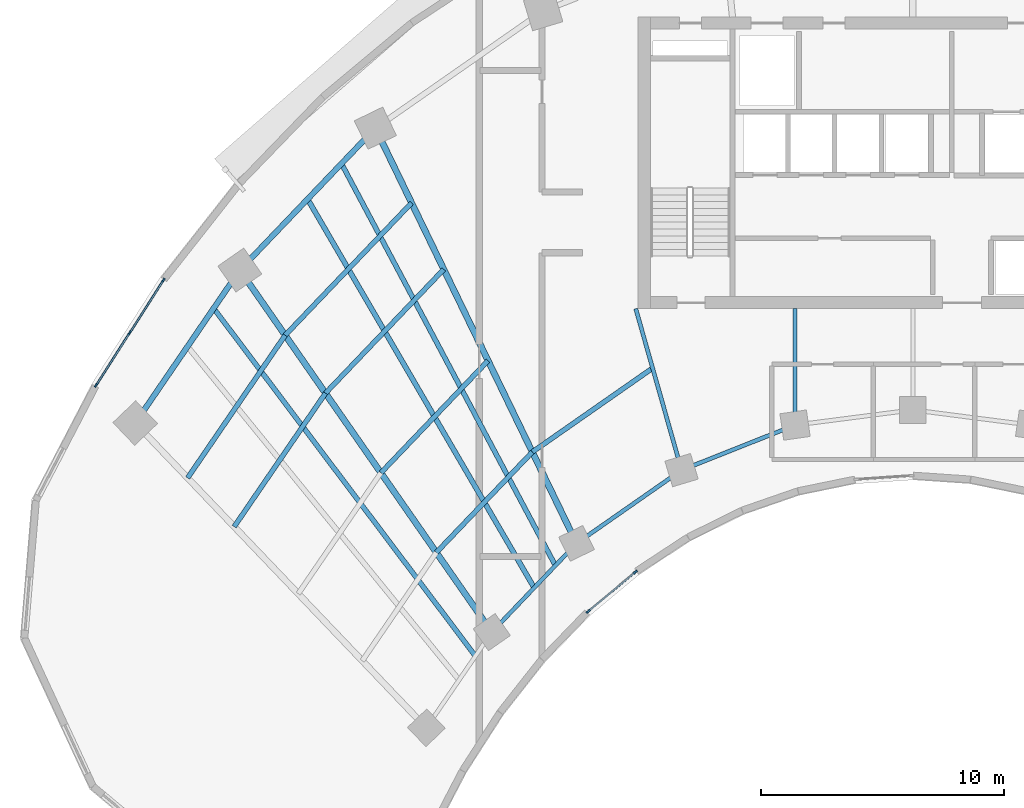
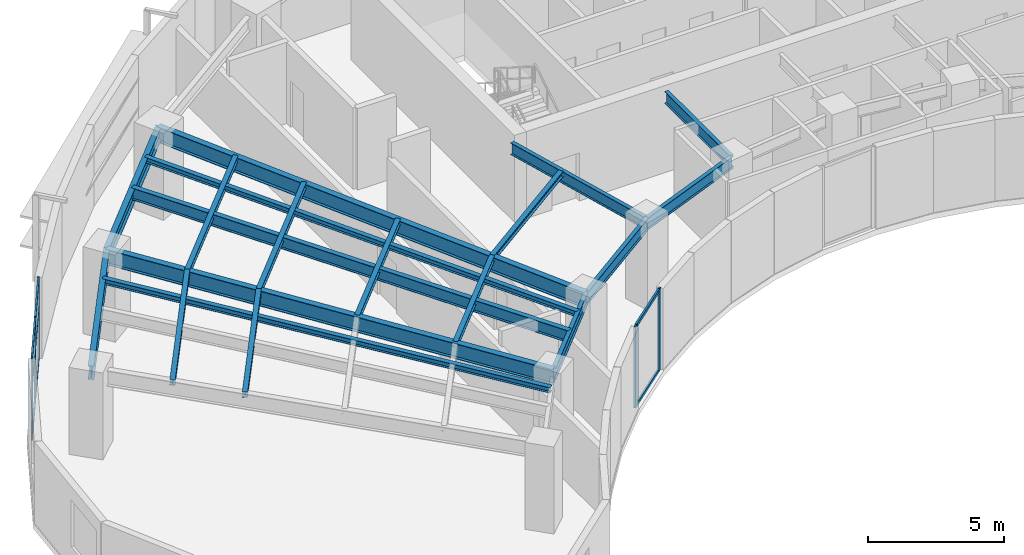
# One storey, part 2 of 13: 19 beams, 13 members, 2 elements without a shape of their own.
"""IFC4 building model written with IfcOpenShell, lengths in metres."""

from ifc_helpers import new_model, si_unit, direction, frame, origin, origin_2d, place, context, subcontext, project, spatial, rectangle, i_section, extrude, source, transform, mapped, material, layer, layer_set, material_profile, profile_set, type_object, type_shapes, element, aggregate, save


model = new_model("IFC4")

# Units and contexts
model_context = context("Model", 3, precision=1e-05, world=origin(), true_north=direction((0.0, 1.0)))
body_context = subcontext(model_context, "Body", "Model", "MODEL_VIEW")
ifc_project = project(units=[si_unit("LENGTHUNIT", "METRE"), si_unit("AREAUNIT", "SQUARE_METRE"), si_unit("VOLUMEUNIT", "CUBIC_METRE"), si_unit("PLANEANGLEUNIT", "RADIAN"), si_unit("MASSUNIT", "GRAM", prefix="KILO")], contexts=[model_context])

# Site, building, storey
site_placement = place(None, origin())
site = spatial("IfcSite", under=ifc_project, at=site_placement, CompositionType="ELEMENT")
building_placement = place(site_placement, origin())
building = spatial("IfcBuilding", under=site, at=building_placement, Name="Breltana Convention Tower", CompositionType="ELEMENT")
storey_placement = place(building_placement, frame((0.0, 0.0, 127.199951171875)))
storey = spatial("IfcBuildingStorey", under=building, at=storey_placement, Name="L30", CompositionType="ELEMENT", Elevation=127.199951171875)

# Beams
ifc_material_1 = material(Name="Steel ASTM A992 Grade 50", Category="steel")
ifc_material_profile_1 = material_profile(ifc_material_1, i_section(OverallWidth=0.25390625, OverallDepth=0.68798828125, WebThickness=0.01318359375, FlangeThickness=0.02099609375, at=origin_2d()), Name="W27X102")
ifc_profile_set_1 = profile_set([ifc_material_profile_1], Name="Steel ASTM A992 Grade 50")
beam_type_1 = type_object("IfcBeamType", Name="BM-RG-W27X102", PredefinedType="USERDEFINED", material=ifc_profile_set_1)
shared_shape_1 = source(origin(), body_context, "Body", "SweptSolid", [
    extrude(i_section(OverallWidth=0.25390625, OverallDepth=0.68798828125, WebThickness=0.01318359375, FlangeThickness=0.02099609375, at=origin_2d()), origin(), (0.0, 0.0, 1.0), 18.1484375),
])
beam_1_placement = place(storey_placement, frame((30.67724609375, 46.892333984375, 3.30615234375), z_axis=(-0.571207556098, 0.820805657788, 0.0), x_axis=(-0.820805657788, -0.571207556098, 0.0)))
element("IfcBeam", 1, at=beam_1_placement, inside=storey, type_object=beam_type_1, Name="L30 Radial Floor Girder R02", ObjectType="GIRDER", PredefinedType="USERDEFINED", context=body_context, shape_type="MappedRepresentation", body=[
    mapped(shared_shape_1, transform((0.0, 0.0, 0.0), scale=1.0)),
])
shared_shape_2 = source(origin(), body_context, "Body", "SweptSolid", [
    extrude(i_section(OverallWidth=0.25390625, OverallDepth=0.68798828125, WebThickness=0.01318359375, FlangeThickness=0.02099609375, at=origin_2d()), origin(), (0.0, 0.0, 1.0), 18.982421875),
])
beam_2_placement = place(storey_placement, frame((34.166259765625, 50.544921875, 3.30615234375), z_axis=(-0.436118560343, 0.89988921614, 0.0), x_axis=(-0.89988921614, -0.436118560343, 0.0)))
element("IfcBeam", 2, at=beam_2_placement, inside=storey, type_object=beam_type_1, Name="L30 Radial Floor Girder R03", ObjectType="GIRDER", PredefinedType="USERDEFINED", context=body_context, shape_type="MappedRepresentation", body=[
    mapped(shared_shape_2, transform((0.0, 0.0, 0.0), scale=1.0)),
])
ifc_material_profile_2 = material_profile(ifc_material_1, i_section(OverallWidth=0.166015625, OverallDepth=0.534912109375, WebThickness=0.01025390625, FlangeThickness=0.0166015625, at=origin_2d()), Name="W21X57")
ifc_profile_set_2 = profile_set([ifc_material_profile_2], Name="Steel ASTM A992 Grade 50")
beam_type_2 = type_object("IfcBeamType", Name="BM-BM-W21X57", PredefinedType="BEAM", material=ifc_profile_set_2)
shared_shape_3 = source(origin(), body_context, "Body", "SweptSolid", [
    extrude(i_section(OverallWidth=0.166015625, OverallDepth=0.534912109375, WebThickness=0.01025390625, FlangeThickness=0.0166015625, at=origin_2d()), origin(), (0.0, 0.0, 1.0), 6.904541015625),
])
type_shapes(beam_type_2, [shared_shape_3])
beam_3_placement = place(storey_placement, frame((36.60009765625, 60.199951171875, 3.382568359375), z_axis=(0.273006781054, -0.962012108811, 0.0), x_axis=(0.962012108811, 0.273006781054, 0.0)))
element("IfcBeam", 3, at=beam_3_placement, inside=storey, type_object=beam_type_2, Name="L30 South Core Tie Girder R04", PredefinedType="BEAM", context=body_context, shape_type="MappedRepresentation", body=[
    mapped(shared_shape_3, transform((0.0, 0.0, 0.0), scale=1.0)),
])
shared_shape_4 = source(origin(), body_context, "Body", "SweptSolid", [
    extrude(i_section(OverallWidth=0.166015625, OverallDepth=0.534912109375, WebThickness=0.01025390625, FlangeThickness=0.0166015625, at=origin_2d()), origin(), (0.0, 0.0, 1.0), 4.789306640625),
])
beam_4_placement = place(storey_placement, frame((43.153564453125, 60.199951171875, 3.382568359375), z_axis=(0.0, -1.0, 0.0), x_axis=(1.0, 0.0, 0.0)))
element("IfcBeam", 4, at=beam_4_placement, inside=storey, type_object=beam_type_2, Name="L30 South Core Tie Girder R05", PredefinedType="BEAM", context=body_context, shape_type="MappedRepresentation", body=[
    mapped(shared_shape_4, transform((0.0, 0.0, 0.0), scale=1.0)),
])
ifc_material_profile_3 = material_profile(ifc_material_1, i_section(OverallWidth=0.22802734375, OverallDepth=0.60791015625, WebThickness=0.01123046875, FlangeThickness=0.017333984375, at=origin_2d()), Name="W24X76")
ifc_profile_set_3 = profile_set([ifc_material_profile_3], Name="Steel ASTM A992 Grade 50")
beam_type_3 = type_object("IfcBeamType", Name="BM-SP-W24X76", PredefinedType="SPANDREL", material=ifc_profile_set_3)
shared_shape_5 = source(origin(), body_context, "Body", "SweptSolid", [
    extrude(i_section(OverallWidth=0.22802734375, OverallDepth=0.60791015625, WebThickness=0.01123046875, FlangeThickness=0.017333984375, at=origin_2d()), origin(), (0.0, 0.0, 1.0), 7.625),
])
type_shapes(beam_type_3, [shared_shape_5])
beam_5_placement = place(storey_placement, frame((16.0068359375, 55.494384765625, 3.345947265625), z_axis=(0.564452031902, 0.825465870694, 0.0), x_axis=(-0.825465870694, 0.564452031902, 0.0)))
element("IfcBeam", 5, at=beam_5_placement, inside=storey, type_object=beam_type_3, Name="L30 Outer Spandrel Beam 01", PredefinedType="SPANDREL", context=body_context, shape_type="MappedRepresentation", body=[
    mapped(shared_shape_5, transform((0.0, 0.0, 0.0), scale=1.0)),
])
shared_shape_6 = source(origin(), body_context, "Body", "SweptSolid", [
    extrude(i_section(OverallWidth=0.166015625, OverallDepth=0.534912109375, WebThickness=0.01025390625, FlangeThickness=0.0166015625, at=origin_2d()), origin(), (0.0, 0.0, 1.0), 5.05126953125),
])
beam_6_placement = place(storey_placement, frame((30.67724609375, 46.892333984375, 3.382568359375), z_axis=(0.690729753845, 0.7231129975, 0.0), x_axis=(-0.7231129975, 0.690729753845, 0.0)))
element("IfcBeam", 6, at=beam_6_placement, inside=storey, type_object=beam_type_2, Name="L30 Inner Ring Beam 02", PredefinedType="BEAM", context=body_context, shape_type="MappedRepresentation", body=[
    mapped(shared_shape_6, transform((0.0, 0.0, 0.0), scale=1.0)),
])
shared_shape_7 = source(origin(), body_context, "Body", "SweptSolid", [
    extrude(i_section(OverallWidth=0.22802734375, OverallDepth=0.60791015625, WebThickness=0.01123046875, FlangeThickness=0.017333984375, at=origin_2d()), origin(), (0.0, 0.0, 1.0), 8.073974609375),
])
beam_7_placement = place(storey_placement, frame((20.310791015625, 61.78857421875, 3.345947265625), z_axis=(0.69072885448, 0.723113856588, 0.0), x_axis=(-0.723113856588, 0.69072885448, 0.0)))
element("IfcBeam", 7, at=beam_7_placement, inside=storey, type_object=beam_type_3, Name="L30 Outer Spandrel Beam 02", PredefinedType="SPANDREL", context=body_context, shape_type="MappedRepresentation", body=[
    mapped(shared_shape_7, transform((0.0, 0.0, 0.0), scale=1.0)),
])
shared_shape_8 = source(origin(), body_context, "Body", "SweptSolid", [
    extrude(i_section(OverallWidth=0.166015625, OverallDepth=0.534912109375, WebThickness=0.01025390625, FlangeThickness=0.0166015625, at=origin_2d()), origin(), (0.0, 0.0, 1.0), 5.265869140625),
])
beam_8_placement = place(storey_placement, frame((34.166259765625, 50.544921875, 3.382568359375), z_axis=(0.820167429517, 0.572123577176, 0.0), x_axis=(-0.572123577176, 0.820167429517, 0.0)))
element("IfcBeam", 8, at=beam_8_placement, inside=storey, type_object=beam_type_2, Name="L30 Inner Ring Beam 03", PredefinedType="BEAM", context=body_context, shape_type="MappedRepresentation", body=[
    mapped(shared_shape_8, transform((0.0, 0.0, 0.0), scale=1.0)),
])
shared_shape_9 = source(origin(), body_context, "Body", "SweptSolid", [
    extrude(i_section(OverallWidth=0.166015625, OverallDepth=0.534912109375, WebThickness=0.01025390625, FlangeThickness=0.0166015625, at=origin_2d()), origin(), (0.0, 0.0, 1.0), 5.022705078125),
])
beam_9_placement = place(storey_placement, frame((38.485107421875, 53.5576171875, 3.382568359375), z_axis=(0.929458966248, 0.368925507469, 0.0), x_axis=(-0.368925507469, 0.929458966248, 0.0)))
element("IfcBeam", 9, at=beam_9_placement, inside=storey, type_object=beam_type_2, Name="L30 Inner Ring Beam 04", PredefinedType="BEAM", context=body_context, shape_type="MappedRepresentation", body=[
    mapped(shared_shape_9, transform((0.0, 0.0, 0.0), scale=1.0)),
])
ifc_material_profile_4 = material_profile(ifc_material_1, i_section(OverallWidth=0.201904296875, OverallDepth=0.2470703125, WebThickness=0.00732421875, FlangeThickness=0.010986328125, at=origin_2d()), Name="W10X33")
ifc_profile_set_4 = profile_set([ifc_material_profile_4], Name="Steel ASTM A992 Grade 50")
beam_type_4 = type_object("IfcBeamType", Name="BM-JSG-11", PredefinedType="JOIST", material=ifc_profile_set_4)
shared_shape_10 = source(origin(), body_context, "Body", "SweptSolid", [
    extrude(i_section(OverallWidth=0.201904296875, OverallDepth=0.2470703125, WebThickness=0.00732421875, FlangeThickness=0.010986328125, at=origin_2d()), origin(), (0.0, 0.0, 1.0), 6.654541015625),
])
beam_10_placement = place(storey_placement, frame((20.0791015625, 51.23095703125, 3.526611328125), z_axis=(0.564482668195, 0.82544492082, 0.0), x_axis=(-0.82544492082, 0.564482668195, 0.0)))
element("IfcBeam", 10, at=beam_10_placement, inside=storey, type_object=beam_type_4, Name="L30 Composite Floor Joist 01.3", PredefinedType="JOIST", context=body_context, shape_type="MappedRepresentation", body=[
    mapped(shared_shape_10, transform((0.0, 0.0, 0.0), scale=1.0)),
])
shared_shape_11 = source(origin(), body_context, "Body", "SweptSolid", [
    extrude(i_section(OverallWidth=0.201904296875, OverallDepth=0.2470703125, WebThickness=0.00732421875, FlangeThickness=0.010986328125, at=origin_2d()), origin(), (0.0, 0.0, 1.0), 7.111328125),
])
beam_11_placement = place(storey_placement, frame((18.162841796875, 53.2373046875, 3.526611328125), z_axis=(0.564446356178, 0.825469751715, 0.0), x_axis=(-0.825469751715, 0.564446356178, 0.0)))
element("IfcBeam", 11, at=beam_11_placement, inside=storey, type_object=beam_type_4, Name="L30 Composite Floor Joist 01.4", PredefinedType="JOIST", context=body_context, shape_type="MappedRepresentation", body=[
    mapped(shared_shape_11, transform((0.0, 0.0, 0.0), scale=1.0)),
])
shared_shape_12 = source(origin(), body_context, "Body", "SweptSolid", [
    extrude(i_section(OverallWidth=0.201904296875, OverallDepth=0.2470703125, WebThickness=0.00732421875, FlangeThickness=0.010986328125, at=origin_2d()), origin(), (0.0, 0.0, 1.0), 17.9072265625),
])
beam_12_placement = place(storey_placement, frame((30.00390625, 45.907958984375, 3.526611328125), z_axis=(-0.601382105028, 0.798961553363, 0.0), x_axis=(-0.798961553363, -0.601382105028, 0.0)))
element("IfcBeam", 12, at=beam_12_placement, inside=storey, type_object=beam_type_4, Name="L30 Quarter-Bay Radial Trimmer 01", PredefinedType="JOIST", context=body_context, shape_type="MappedRepresentation", body=[
    mapped(shared_shape_12, transform((0.0, 0.0, 0.0), scale=1.0)),
])
shared_shape_13 = source(origin(), body_context, "Body", "SweptSolid", [
    extrude(i_section(OverallWidth=0.201904296875, OverallDepth=0.2470703125, WebThickness=0.00732421875, FlangeThickness=0.010986328125, at=origin_2d()), origin(), (0.0, 0.0, 1.0), 5.716064453125),
])
beam_13_placement = place(storey_placement, frame((28.396484375, 50.169677734375, 3.526611328125), z_axis=(0.690756060045, 0.723087868458, 0.0), x_axis=(-0.723087868458, 0.690756060045, 0.0)))
element("IfcBeam", 13, at=beam_13_placement, inside=storey, type_object=beam_type_4, Name="L30 Composite Floor Joist 02.1", PredefinedType="JOIST", context=body_context, shape_type="MappedRepresentation", body=[
    mapped(shared_shape_13, transform((0.0, 0.0, 0.0), scale=1.0)),
])
shared_shape_14 = source(origin(), body_context, "Body", "SweptSolid", [
    extrude(i_section(OverallWidth=0.201904296875, OverallDepth=0.2470703125, WebThickness=0.00732421875, FlangeThickness=0.010986328125, at=origin_2d()), origin(), (0.0, 0.0, 1.0), 6.381103515625),
])
beam_14_placement = place(storey_placement, frame((26.115966796875, 53.44677734375, 3.526611328125), z_axis=(0.690737768889, 0.723105341309, 0.0), x_axis=(-0.723105341309, 0.690737768889, 0.0)))
element("IfcBeam", 14, at=beam_14_placement, inside=storey, type_object=beam_type_4, Name="L30 Composite Floor Joist 02.2", PredefinedType="JOIST", context=body_context, shape_type="MappedRepresentation", body=[
    mapped(shared_shape_14, transform((0.0, 0.0, 0.0), scale=1.0)),
])
shared_shape_15 = source(origin(), body_context, "Body", "SweptSolid", [
    extrude(i_section(OverallWidth=0.201904296875, OverallDepth=0.2470703125, WebThickness=0.00732421875, FlangeThickness=0.010986328125, at=origin_2d()), origin(), (0.0, 0.0, 1.0), 7.046142578125),
])
beam_15_placement = place(storey_placement, frame((23.83544921875, 56.723876953125, 3.526611328125), z_axis=(0.690722929904, 0.723119515782, 0.0), x_axis=(-0.723119515782, 0.690722929904, 0.0)))
element("IfcBeam", 15, at=beam_15_placement, inside=storey, type_object=beam_type_4, Name="L30 Composite Floor Joist 02.3", PredefinedType="JOIST", context=body_context, shape_type="MappedRepresentation", body=[
    mapped(shared_shape_15, transform((0.0, 0.0, 0.0), scale=1.0)),
])
shared_shape_16 = source(origin(), body_context, "Body", "SweptSolid", [
    extrude(i_section(OverallWidth=0.201904296875, OverallDepth=0.2470703125, WebThickness=0.00732421875, FlangeThickness=0.010986328125, at=origin_2d()), origin(), (0.0, 0.0, 1.0), 7.529541015625),
])
beam_16_placement = place(storey_placement, frame((22.1767578125, 59.107421875, 3.526611328125), z_axis=(0.690725562031, 0.723117001568, 0.0), x_axis=(-0.723117001568, 0.690725562031, 0.0)))
element("IfcBeam", 16, at=beam_16_placement, inside=storey, type_object=beam_type_4, Name="L30 Composite Floor Joist 02.4", PredefinedType="JOIST", context=body_context, shape_type="MappedRepresentation", body=[
    mapped(shared_shape_16, transform((0.0, 0.0, 0.0), scale=1.0)),
])
ifc_material_profile_5 = material_profile(ifc_material_1, i_section(OverallWidth=0.2099609375, OverallDepth=0.537109375, WebThickness=0.010986328125, FlangeThickness=0.017333984375, at=origin_2d()), Name="W21X68")
ifc_profile_set_5 = profile_set([ifc_material_profile_5], Name="Steel ASTM A992 Grade 50")
beam_type_5 = type_object("IfcBeamType", Name="BM-JSG-04", PredefinedType="JOIST", material=ifc_profile_set_5)
shared_shape_17 = source(origin(), body_context, "Body", "SweptSolid", [
    extrude(i_section(OverallWidth=0.2099609375, OverallDepth=0.537109375, WebThickness=0.010986328125, FlangeThickness=0.017333984375, at=origin_2d()), origin(), (0.0, 0.0, 1.0), 18.50830078125),
])
beam_17_placement = place(storey_placement, frame((32.421630859375, 48.71875, 3.381591796875), z_axis=(-0.50368319637, 0.863888440537, 0.0), x_axis=(-0.863888440537, -0.50368319637, 0.0)))
element("IfcBeam", 17, at=beam_17_placement, inside=storey, type_object=beam_type_5, Name="L30 Mid-Bay Radial Trimmer 02", PredefinedType="JOIST", context=body_context, shape_type="MappedRepresentation", body=[
    mapped(shared_shape_17, transform((0.0, 0.0, 0.0), scale=1.0)),
])
shared_shape_18 = source(origin(), body_context, "Body", "SweptSolid", [
    extrude(i_section(OverallWidth=0.201904296875, OverallDepth=0.2470703125, WebThickness=0.00732421875, FlangeThickness=0.010986328125, at=origin_2d()), origin(), (0.0, 0.0, 1.0), 18.731689453125),
])
beam_18_placement = place(storey_placement, frame((33.2939453125, 49.6318359375, 3.526611328125), z_axis=(-0.469820250451, 0.882762104004, 0.0), x_axis=(-0.882762104004, -0.469820250451, 0.0)))
element("IfcBeam", 18, at=beam_18_placement, inside=storey, type_object=beam_type_4, Name="L30 Quarter-Bay Radial Trimmer 02", PredefinedType="JOIST", context=body_context, shape_type="MappedRepresentation", body=[
    mapped(shared_shape_18, transform((0.0, 0.0, 0.0), scale=1.0)),
])
shared_shape_19 = source(origin(), body_context, "Body", "SweptSolid", [
    extrude(i_section(OverallWidth=0.201904296875, OverallDepth=0.2470703125, WebThickness=0.00732421875, FlangeThickness=0.010986328125, at=origin_2d()), origin(), (0.0, 0.0, 1.0), 5.959228515625),
])
beam_19_placement = place(storey_placement, frame((32.344970703125, 54.302978515625, 3.526611328125), z_axis=(0.820160485262, 0.572133531979, 0.0), x_axis=(-0.572133531979, 0.820160485262, 0.0)))
element("IfcBeam", 19, at=beam_19_placement, inside=storey, type_object=beam_type_4, Name="L30 Composite Floor Joist 03.1", PredefinedType="JOIST", context=body_context, shape_type="MappedRepresentation", body=[
    mapped(shared_shape_19, transform((0.0, 0.0, 0.0), scale=1.0)),
])

# Curtain wall, members
ifc_material_2 = material(Name="Aluminium Anodised Bronze Frame", Category="aluminium")
ifc_layer_1 = layer(ifc_material_2, 0.18994140625, Name="Aluminium Anodised Bronze Frame")
ifc_layer_set_1 = layer_set([ifc_layer_1], Name="Aluminium Anodised Bronze Frame")
curtain_wall_type_1 = type_object("IfcCurtainWallType", Name="CW-SYS-1", PredefinedType="NOTDEFINED", material=ifc_layer_set_1)
curtain_wall_1_placement = place(storey_placement, origin())
curtain_wall_1 = element("IfcCurtainWall", 20, at=curtain_wall_1_placement, inside=storey, type_object=curtain_wall_type_1, Name="L30 inner south-court glazing 5", PredefinedType="NOTDEFINED")
ifc_material_3 = material(Name="Aluminium Anodised Bronze", Category="aluminium")
ifc_material_profile_6 = material_profile(ifc_material_3, rectangle(XDim=0.080078125, YDim=0.139892578125, at=origin_2d()), Name="CWT-80X140")
ifc_profile_set_6 = profile_set([ifc_material_profile_6], Name="Aluminium Anodised Bronze")
member_type_1 = type_object("IfcMemberType", Name="CWT-140", PredefinedType="USERDEFINED", material=ifc_profile_set_6)
shared_shape_20 = source(origin(), body_context, "Body", "SweptSolid", [
    extrude(rectangle(XDim=0.080078125, YDim=0.139892578125, at=origin_2d()), origin(), (0.0, 0.0, 1.0), 2.44091796875),
])
member_1_placement = place(storey_placement, frame((36.551513671875, 49.335693359375, 0.0400390625), z_axis=(-0.767991664717, -0.64045983709, 0.0), x_axis=(0.64045983709, -0.767991664717, 0.0)))
member_1 = element("IfcMember", 21, at=member_1_placement, type_object=member_type_1, Name="CW-01 transom 1.1", ObjectType="TRANSOM", PredefinedType="USERDEFINED", context=body_context, shape_type="MappedRepresentation", body=[
    mapped(shared_shape_20, transform((0.0, 0.0, 0.0), scale=1.0)),
])
member_2_placement = place(storey_placement, frame((36.551513671875, 49.335693359375, 3.610107421875), z_axis=(-0.767991664717, -0.64045983709, 0.0), x_axis=(0.64045983709, -0.767991664717, 0.0)))
member_2 = element("IfcMember", 22, at=member_2_placement, type_object=member_type_1, Name="CW-01 transom 1.2", ObjectType="TRANSOM", PredefinedType="USERDEFINED", context=body_context, shape_type="MappedRepresentation", body=[
    mapped(shared_shape_20, transform((0.0, 0.0, 0.0), scale=1.0)),
])

ifc_layer_2 = layer(ifc_material_2, 0.22998046875, Name="Aluminium Anodised Bronze Frame")
ifc_layer_set_2 = layer_set([ifc_layer_2], Name="Aluminium Anodised Bronze Frame")
curtain_wall_type_2 = type_object("IfcCurtainWallType", Name="CW-SYS-5", PredefinedType="NOTDEFINED", material=ifc_layer_set_2)
curtain_wall_2_placement = place(storey_placement, origin())
curtain_wall_2 = element("IfcCurtainWall", 23, at=curtain_wall_2_placement, inside=storey, type_object=curtain_wall_type_2, Name="L30 outer double-skin inner glazing 1", PredefinedType="NOTDEFINED")
ifc_material_profile_7 = material_profile(ifc_material_3, rectangle(XDim=0.070068359375, YDim=0.1201171875, at=origin_2d()), Name="CWT-70X120")
ifc_profile_set_7 = profile_set([ifc_material_profile_7], Name="Aluminium Anodised Bronze")
member_type_2 = type_object("IfcMemberType", Name="CWT-120", PredefinedType="USERDEFINED", material=ifc_profile_set_7)
shared_shape_21 = source(origin(), body_context, "Body", "SweptSolid", [
    extrude(rectangle(XDim=0.070068359375, YDim=0.1201171875, at=origin_2d()), origin(), (0.0, 0.0, 1.0), 2.49755859375),
])
member_3_placement = place(storey_placement, frame((14.41455078125, 57.078857421875, 0.03515625), z_axis=(0.540179419124, 0.841549876808, 0.0), x_axis=(-0.841549876808, 0.540179419124, 0.0)))
member_3 = element("IfcMember", 24, at=member_3_placement, type_object=member_type_2, Name="CW-05 transom 1.1", ObjectType="TRANSOM", PredefinedType="USERDEFINED", context=body_context, shape_type="MappedRepresentation", body=[
    mapped(shared_shape_21, transform((0.0, 0.0, 0.0), scale=1.0)),
])
member_4_placement = place(storey_placement, frame((14.41455078125, 57.078857421875, 2.37255859375), z_axis=(0.540179419124, 0.841549876808, 0.0), x_axis=(-0.841549876808, 0.540179419124, 0.0)))
member_4 = element("IfcMember", 25, at=member_4_placement, type_object=member_type_2, Name="CW-05 transom 1.2", ObjectType="TRANSOM", PredefinedType="USERDEFINED", context=body_context, shape_type="MappedRepresentation", body=[
    mapped(shared_shape_21, transform((0.0, 0.0, 0.0), scale=1.0)),
])
member_5_placement = place(storey_placement, frame((14.41455078125, 57.078857421875, 3.614990234375), z_axis=(0.540179419124, 0.841549876808, 0.0), x_axis=(-0.841549876808, 0.540179419124, 0.0)))
member_5 = element("IfcMember", 26, at=member_5_placement, type_object=member_type_2, Name="CW-05 transom 1.3", ObjectType="TRANSOM", PredefinedType="USERDEFINED", context=body_context, shape_type="MappedRepresentation", body=[
    mapped(shared_shape_21, transform((0.0, 0.0, 0.0), scale=1.0)),
])
member_6_placement = place(storey_placement, frame((15.801513671875, 59.23974609375, 0.03515625), z_axis=(0.540179419124, 0.841549876808, 0.0), x_axis=(-0.841549876808, 0.540179419124, 0.0)))
member_6 = element("IfcMember", 27, at=member_6_placement, type_object=member_type_2, Name="CW-05 transom 2.1", ObjectType="TRANSOM", PredefinedType="USERDEFINED", context=body_context, shape_type="MappedRepresentation", body=[
    mapped(shared_shape_21, transform((0.0, 0.0, 0.0), scale=1.0)),
])
member_7_placement = place(storey_placement, frame((15.801513671875, 59.23974609375, 2.37255859375), z_axis=(0.540179419124, 0.841549876808, 0.0), x_axis=(-0.841549876808, 0.540179419124, 0.0)))
member_7 = element("IfcMember", 28, at=member_7_placement, type_object=member_type_2, Name="CW-05 transom 2.2", ObjectType="TRANSOM", PredefinedType="USERDEFINED", context=body_context, shape_type="MappedRepresentation", body=[
    mapped(shared_shape_21, transform((0.0, 0.0, 0.0), scale=1.0)),
])
member_8_placement = place(storey_placement, frame((15.801513671875, 59.23974609375, 3.614990234375), z_axis=(0.540179419124, 0.841549876808, 0.0), x_axis=(-0.841549876808, 0.540179419124, 0.0)))
member_8 = element("IfcMember", 29, at=member_8_placement, type_object=member_type_2, Name="CW-05 transom 2.3", ObjectType="TRANSOM", PredefinedType="USERDEFINED", context=body_context, shape_type="MappedRepresentation", body=[
    mapped(shared_shape_21, transform((0.0, 0.0, 0.0), scale=1.0)),
])

# Member
ifc_material_profile_8 = material_profile(ifc_material_3, rectangle(XDim=0.080078125, YDim=0.199951171875, at=origin_2d()), Name="CWM-80X200")
ifc_profile_set_8 = profile_set([ifc_material_profile_8], Name="Aluminium Anodised Bronze")
member_type_3 = type_object("IfcMemberType", Name="CWM-200", PredefinedType="MULLION", material=ifc_profile_set_8)
shared_shape_22 = source(origin(), body_context, "Body", "SweptSolid", [
    extrude(rectangle(XDim=0.080078125, YDim=0.199951171875, at=origin_2d()), origin(), (0.0, 0.0, 1.0), 3.650146484375),
])
member_9_placement = place(storey_placement, frame((36.582275390625, 49.361328125, 0.0), z_axis=(0.0, 0.0, 1.0), x_axis=(0.640520924036, -0.76794071768, 0.0)))
member_9 = element("IfcMember", 30, at=member_9_placement, type_object=member_type_3, Name="CW-01 mullion 1", PredefinedType="MULLION", context=body_context, shape_type="MappedRepresentation", body=[
    mapped(shared_shape_22, transform((0.0, 0.0, 0.0), scale=1.0)),
])

member_10_placement = place(storey_placement, frame((34.646240234375, 47.746826171875, 0.0), z_axis=(0.0, 0.0, 1.0), x_axis=(0.640520924036, -0.76794071768, 0.0)))
member_10 = element("IfcMember", 31, at=member_10_placement, type_object=member_type_3, Name="CW-01 mullion 2", PredefinedType="MULLION", context=body_context, shape_type="MappedRepresentation", body=[
    mapped(shared_shape_22, transform((0.0, 0.0, 0.0), scale=1.0)),
])

aggregate(curtain_wall_1, [member_9, member_10, member_1, member_2])

ifc_material_profile_9 = material_profile(ifc_material_3, rectangle(XDim=0.070068359375, YDim=0.175048828125, at=origin_2d()), Name="CWM-70X175")
ifc_profile_set_9 = profile_set([ifc_material_profile_9], Name="Aluminium Anodised Bronze")
member_type_4 = type_object("IfcMemberType", Name="CWM-175", PredefinedType="MULLION", material=ifc_profile_set_9)
shared_shape_23 = source(origin(), body_context, "Body", "SweptSolid", [
    extrude(rectangle(XDim=0.070068359375, YDim=0.175048828125, at=origin_2d()), origin(), (0.0, 0.0, 1.0), 3.650146484375),
])
member_11_placement = place(storey_placement, frame((14.395751953125, 57.049560546875, 0.0), z_axis=(0.0, 0.0, 1.0), x_axis=(-0.84155155167, 0.540176809834, 0.0)))
member_11 = element("IfcMember", 32, at=member_11_placement, type_object=member_type_4, Name="CW-05 mullion 1", PredefinedType="MULLION", context=body_context, shape_type="MappedRepresentation", body=[
    mapped(shared_shape_23, transform((0.0, 0.0, 0.0), scale=1.0)),
])

member_12_placement = place(storey_placement, frame((15.78271484375, 59.210205078125, 0.0), z_axis=(0.0, 0.0, 1.0), x_axis=(-0.84155155167, 0.540176809834, 0.0)))
member_12 = element("IfcMember", 33, at=member_12_placement, type_object=member_type_4, Name="CW-05 mullion 2", PredefinedType="MULLION", context=body_context, shape_type="MappedRepresentation", body=[
    mapped(shared_shape_23, transform((0.0, 0.0, 0.0), scale=1.0)),
])

member_13_placement = place(storey_placement, frame((17.169677734375, 61.370849609375, 0.0), z_axis=(0.0, 0.0, 1.0), x_axis=(-0.84155155167, 0.540176809834, 0.0)))
member_13 = element("IfcMember", 34, at=member_13_placement, type_object=member_type_4, Name="CW-05 mullion 3", PredefinedType="MULLION", context=body_context, shape_type="MappedRepresentation", body=[
    mapped(shared_shape_23, transform((0.0, 0.0, 0.0), scale=1.0)),
])

aggregate(curtain_wall_2, [member_11, member_12, member_13, member_3, member_4, member_5, member_6, member_7, member_8])

save(model, "model.ifc")
